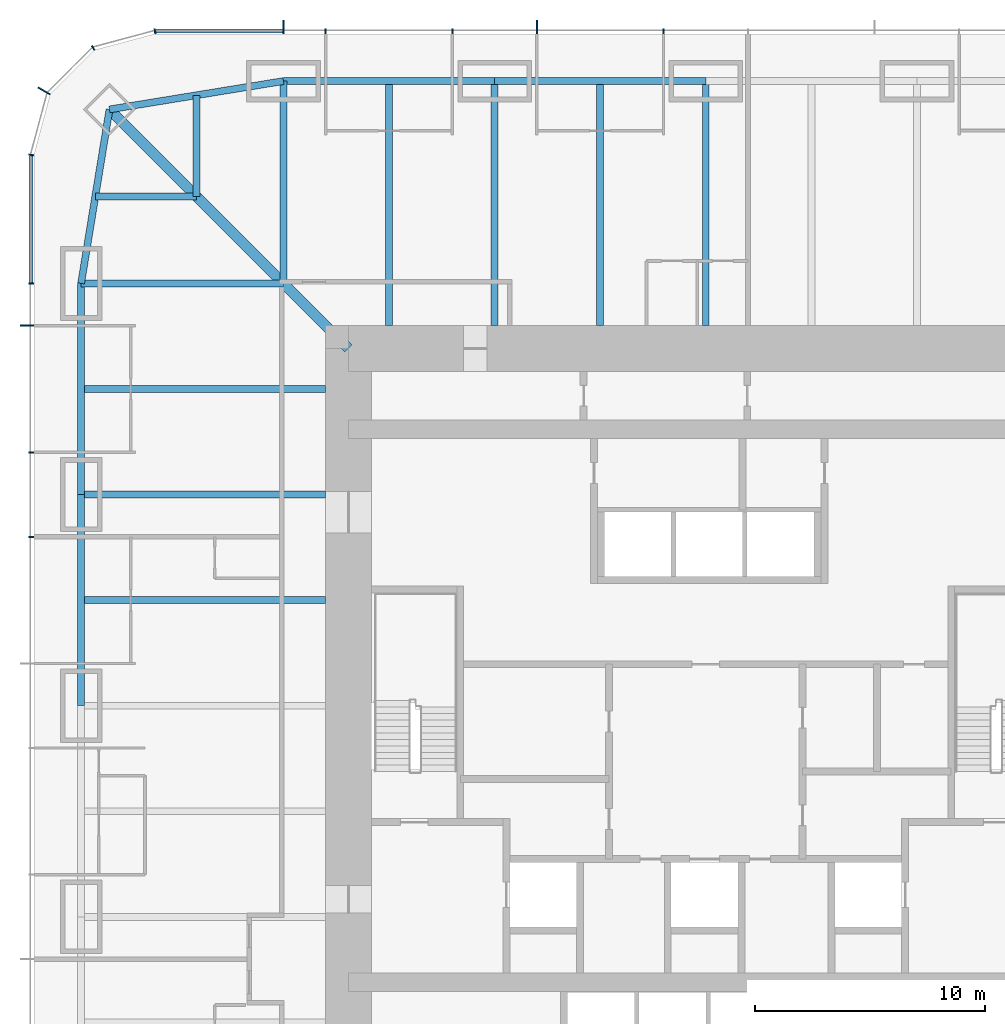
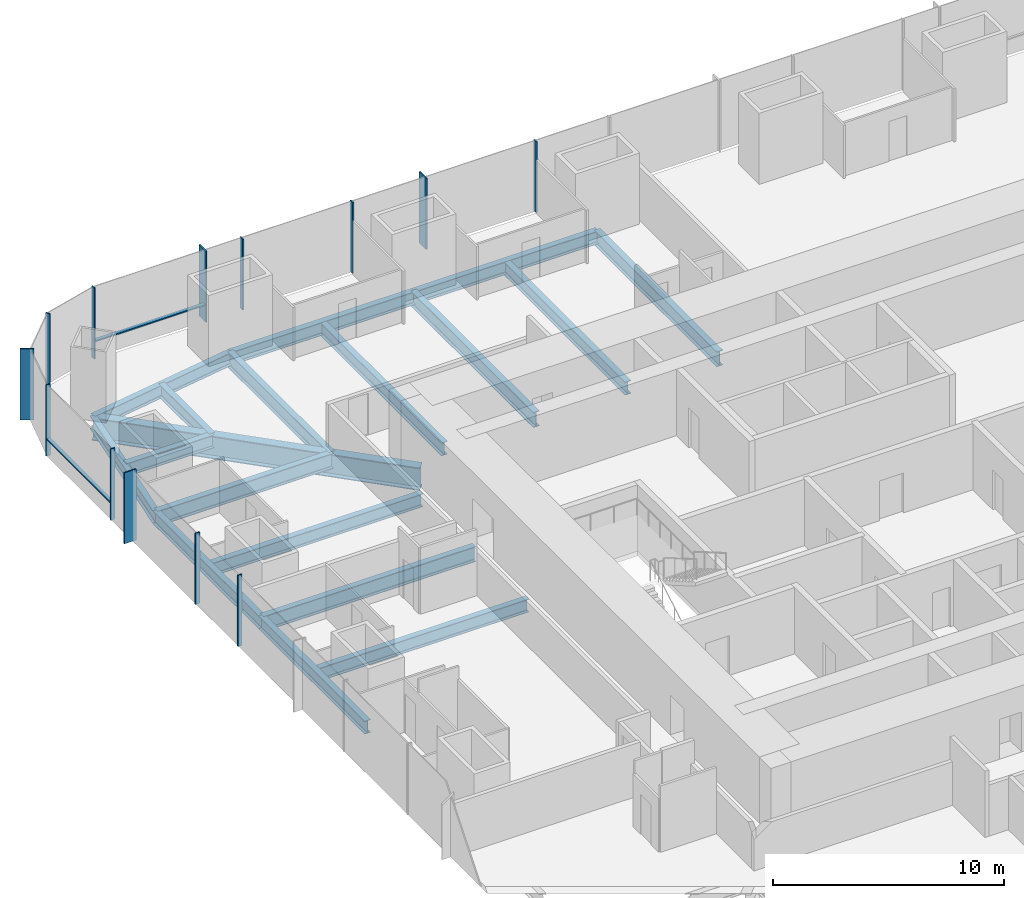
# One storey, part 5 of 13: 18 beams, 15 members, 3 elements without a shape of their own.
"""IFC4 building model written with IfcOpenShell, lengths in metres."""

from ifc_helpers import new_model, si_unit, direction, frame, origin, origin_2d, place, context, subcontext, project, spatial, rectangle, i_section, extrude, material, material_profile, profile_set, type_object, element, aggregate, save


model = new_model("IFC4")

# Units and contexts
model_context = context("Model", 3, precision=1e-05, world=origin(), true_north=direction((0.0, 1.0)))
body_context = subcontext(model_context, "Body", "Model", "MODEL_VIEW")
ifc_project = project(units=[si_unit("LENGTHUNIT", "METRE"), si_unit("AREAUNIT", "SQUARE_METRE"), si_unit("VOLUMEUNIT", "CUBIC_METRE"), si_unit("PLANEANGLEUNIT", "RADIAN"), si_unit("MASSUNIT", "GRAM", prefix="KILO")], contexts=[model_context])

# Site, building, storey
site_placement = place(None, origin())
site = spatial("IfcSite", under=ifc_project, at=site_placement, CompositionType="ELEMENT")
building_placement = place(site_placement, origin())
building = spatial("IfcBuilding", under=site, at=building_placement, Name="Khuree Lantern Residences", CompositionType="ELEMENT")
storey_placement = place(building_placement, frame((0.0, 0.0, 111.0)))
storey = spatial("IfcBuildingStorey", under=building, at=storey_placement, Name="L27", CompositionType="ELEMENT", Elevation=111.0)

# Beams
ifc_material_1 = material(Name="Steel S355", Category="steel")
ifc_material_profile_1 = material_profile(ifc_material_1, i_section(OverallWidth=0.300048828125, OverallDepth=0.68994140625, WebThickness=0.014404296875, FlangeThickness=0.027099609375, FilletRadius=0.027099609375, at=origin_2d()), Name="HE 700 A")
ifc_profile_set_1 = profile_set([ifc_material_profile_1], Name="Steel S355")
beam_type_1 = type_object("IfcBeamType", Name="B-21A SECONDARY BEAM HE 700 A", PredefinedType="BEAM", material=ifc_profile_set_1)
for number, where, z_axis, x_axis, name in (
    (1, (-13.739990234375, 27.10009765625, -0.594970703125), (0.0, -1.0, 0.0), (1.0, 0.0, 0.0), "Secondary beam N1"),
    (2, (-4.580078125, 27.10009765625, -0.594970703125), (0.0, -1.0, 0.0), (1.0, 0.0, 0.0), "Secondary beam N2"),
    (3, (-27.10009765625, 4.580078125, -0.594970703125), (1.0, 0.0, 0.0), (0.0, 1.0, 0.0), "Secondary beam W4"),
    (4, (-27.10009765625, 13.739990234375, -0.594970703125), (1.0, 0.0, 0.0), (0.0, 1.0, 0.0), "Secondary beam W5"),
):
    element("IfcBeam", number, at=place(storey_placement, frame(where, z_axis=z_axis, x_axis=x_axis)), inside=storey, type_object=beam_type_1, Name=name, PredefinedType="BEAM", context=body_context, shape_type="SweptSolid", body=[
        extrude(i_section(OverallWidth=0.300048828125, OverallDepth=0.68994140625, WebThickness=0.014404296875, FlangeThickness=0.027099609375, FilletRadius=0.027099609375, at=origin_2d()), origin(), (0.0, 0.0, 1.0), 10.60009765625),
    ])
for number, where, z_axis, x_axis, name in (
    (5, (-26.48486328125, 22.094970703125, -0.594970703125), (1.0, 0.0, 0.0), (0.0, 1.0, 0.0), "Secondary beam W6"),
    (6, (-22.094970703125, 26.48486328125, -0.594970703125), (0.0, -1.0, 0.0), (1.0, 0.0, 0.0), "Secondary beam N6"),
):
    element("IfcBeam", number, at=place(storey_placement, frame(where, z_axis=z_axis, x_axis=x_axis)), inside=storey, type_object=beam_type_1, Name=name, PredefinedType="BEAM", context=body_context, shape_type="SweptSolid", body=[
        extrude(i_section(OverallWidth=0.300048828125, OverallDepth=0.68994140625, WebThickness=0.014404296875, FlangeThickness=0.027099609375, FilletRadius=0.027099609375, at=origin_2d()), origin(), (0.0, 0.0, 1.0), 4.389892578125),
    ])
ifc_material_profile_2 = material_profile(ifc_material_1, i_section(OverallWidth=0.300048828125, OverallDepth=0.68994140625, WebThickness=0.014404296875, FlangeThickness=0.027099609375, FilletRadius=0.027099609375, at=origin_2d()), Name="HE 700 A")
ifc_profile_set_2 = profile_set([ifc_material_profile_2], Name="Steel S355")
beam_type_2 = type_object("IfcBeamType", Name="E-21 SPANDREL BEAM HE 700 A", PredefinedType="SPANDREL", material=ifc_profile_set_2)
beam_1_placement = place(storey_placement, frame((-18.320068359375, 27.10009765625, -0.594970703125), z_axis=(1.0, 0.0, 0.0), x_axis=(0.0, 1.0, 0.0)))
element("IfcBeam", 7, at=beam_1_placement, inside=storey, type_object=beam_type_2, Name="Spandrel beam N1", PredefinedType="SPANDREL", context=body_context, shape_type="SweptSolid", body=[
    extrude(i_section(OverallWidth=0.300048828125, OverallDepth=0.68994140625, WebThickness=0.014404296875, FlangeThickness=0.027099609375, FilletRadius=0.027099609375, at=origin_2d()), origin(), (0.0, 0.0, 1.0), 9.16015625),
])
for number, where, z_axis, x_axis, name in (
    (8, (-9.159912109375, 27.10009765625, -0.594970703125), (1.0, 0.0, 0.0), (0.0, 1.0, 0.0), "Spandrel beam N2"),
    (9, (-27.10009765625, 0.0, -0.594970703125), (0.0, 1.0, 0.0), (-1.0, 0.0, 0.0), "Spandrel beam W4"),
):
    element("IfcBeam", number, at=place(storey_placement, frame(where, z_axis=z_axis, x_axis=x_axis)), inside=storey, type_object=beam_type_2, Name=name, PredefinedType="SPANDREL", context=body_context, shape_type="SweptSolid", body=[
        extrude(i_section(OverallWidth=0.300048828125, OverallDepth=0.68994140625, WebThickness=0.014404296875, FlangeThickness=0.027099609375, FilletRadius=0.027099609375, at=origin_2d()), origin(), (0.0, 0.0, 1.0), 9.159912109375),
    ])
beam_2_placement = place(storey_placement, frame((-27.10009765625, 9.159912109375, -0.594970703125), z_axis=(0.0, 1.0, 0.0), x_axis=(-1.0, 0.0, 0.0)))
element("IfcBeam", 10, at=beam_2_placement, inside=storey, type_object=beam_type_2, Name="Spandrel beam W5", PredefinedType="SPANDREL", context=body_context, shape_type="SweptSolid", body=[
    extrude(i_section(OverallWidth=0.300048828125, OverallDepth=0.68994140625, WebThickness=0.014404296875, FlangeThickness=0.027099609375, FilletRadius=0.027099609375, at=origin_2d()), origin(), (0.0, 0.0, 1.0), 9.16015625),
])
for number, where, z_axis, x_axis, name in (
    (11, (-27.10009765625, 18.320068359375, -0.594970703125), (0.160826723833, 0.986982656839, 0.0), (-0.986982656839, 0.160826723833, 0.0), "Spandrel beam W6"),
    (12, (-25.869873046875, 25.869873046875, -0.594970703125), (0.986982656839, 0.160826723833, 0.0), (-0.160826723833, 0.986982656839, 0.0), "Spandrel beam N6"),
):
    element("IfcBeam", number, at=place(storey_placement, frame(where, z_axis=z_axis, x_axis=x_axis)), inside=storey, type_object=beam_type_2, Name=name, PredefinedType="SPANDREL", context=body_context, shape_type="SweptSolid", body=[
        extrude(i_section(OverallWidth=0.300048828125, OverallDepth=0.68994140625, WebThickness=0.014404296875, FlangeThickness=0.027099609375, FilletRadius=0.027099609375, at=origin_2d()), origin(), (0.0, 0.0, 1.0), 7.6494140625),
    ])

# Curtain wall, members
ifc_material_2 = material(Name="Bronze anodised aluminium", Category="aluminium")
curtain_wall_type_1 = type_object("IfcCurtainWallType", Name="CW-T1 TOWER FACE CURTAIN WALL", PredefinedType="USERDEFINED", material=ifc_material_2)
curtain_wall_1_placement = place(storey_placement, origin())
curtain_wall_1 = element("IfcCurtainWall", 13, at=curtain_wall_1_placement, inside=storey, type_object=curtain_wall_type_1, Name="L27 NORTH FACE CURTAIN WALL", ObjectType="Stick-built curtain wall", PredefinedType="USERDEFINED")
ifc_material_profile_3 = material_profile(ifc_material_2, rectangle(XDim=0.06494140625, YDim=0.60009765625, at=origin_2d()), Name="F1 65X600")
ifc_profile_set_3 = profile_set([ifc_material_profile_3], Name="Bronze anodised aluminium")
member_type_1 = type_object("IfcMemberType", Name="F1 BRONZE FIN MULLION TOWER 65X600", PredefinedType="MULLION", material=ifc_profile_set_3)
member_1_placement = place(storey_placement, frame((-7.327880859375, 29.449951171875, 0.0), z_axis=(0.0, 0.0, 1.0), x_axis=(-1.0, 0.0, 0.0)))
member_1 = element("IfcMember", 14, at=member_1_placement, type_object=member_type_1, Name="L27 NORTH FACE FIN MULLION 25", PredefinedType="MULLION", context=body_context, shape_type="SweptSolid", body=[
    extrude(rectangle(XDim=0.06494140625, YDim=0.60009765625, at=origin_2d()), origin(), (0.0, 0.0, 1.0), 3.75),
])
member_2_placement = place(storey_placement, frame((-18.320068359375, 29.449951171875, 0.0), z_axis=(0.0, 0.0, 1.0), x_axis=(-1.0, 0.0, 0.0)))
member_2 = element("IfcMember", 15, at=member_2_placement, type_object=member_type_1, Name="L27 NORTH FACE FIN MULLION 28", PredefinedType="MULLION", context=body_context, shape_type="SweptSolid", body=[
    extrude(rectangle(XDim=0.06494140625, YDim=0.60009765625, at=origin_2d()), origin(), (0.0, 0.0, 1.0), 3.75),
])

# Curtain wall, member
curtain_wall_type_2 = type_object("IfcCurtainWallType", Name="CW-T2 TOWER CORNER CURTAIN WALL", PredefinedType="USERDEFINED", material=ifc_material_2)
curtain_wall_2_placement = place(storey_placement, origin())
curtain_wall_2 = element("IfcCurtainWall", 16, at=curtain_wall_2_placement, inside=storey, type_object=curtain_wall_type_2, Name="L27 NORTH-WEST CORNER CURTAIN WALL", ObjectType="Faceted corner curtain wall", PredefinedType="USERDEFINED")
member_3_placement = place(storey_placement, frame((-28.70654296875, 26.675048828125, 0.0), z_axis=(0.0, 0.0, 1.0), x_axis=(-0.500000026995, -0.866025388199, 0.0)))
member_3 = element("IfcMember", 17, at=member_3_placement, type_object=member_type_1, Name="L27 NORTH-WEST CORNER FIN MULLION 31", PredefinedType="MULLION", context=body_context, shape_type="SweptSolid", body=[
    extrude(rectangle(XDim=0.06494140625, YDim=0.60009765625, at=origin_2d()), origin(), (0.0, 0.0, 1.0), 3.75),
])

curtain_wall_3_placement = place(storey_placement, origin())
curtain_wall_3 = element("IfcCurtainWall", 18, at=curtain_wall_3_placement, inside=storey, type_object=curtain_wall_type_1, Name="L27 WEST FACE CURTAIN WALL", ObjectType="Stick-built curtain wall", PredefinedType="USERDEFINED")
member_4_placement = place(storey_placement, frame((-29.449951171875, 16.488037109375, 0.0), z_axis=(0.0, 0.0, 1.0), x_axis=(0.0, -1.0, 0.0)))
member_4 = element("IfcMember", 19, at=member_4_placement, type_object=member_type_1, Name="L27 WEST FACE FIN MULLION 34", PredefinedType="MULLION", context=body_context, shape_type="SweptSolid", body=[
    extrude(rectangle(XDim=0.06494140625, YDim=0.60009765625, at=origin_2d()), origin(), (0.0, 0.0, 1.0), 3.75),
])

# Beams
ifc_material_profile_4 = material_profile(ifc_material_1, i_section(OverallWidth=0.300048828125, OverallDepth=0.800048828125, WebThickness=0.017578125, FlangeThickness=0.032958984375, FilletRadius=0.030029296875, at=origin_2d()), Name="HE 800 B")
ifc_profile_set_4 = profile_set([ifc_material_profile_4], Name="Steel S355")
beam_type_3 = type_object("IfcBeamType", Name="G-21 GIRDER HE 800 B", PredefinedType="BEAM", material=ifc_profile_set_4)
beam_3_placement = place(storey_placement, frame((-18.320068359375, 27.10009765625, -0.64990234375), z_axis=(0.0, -1.0, 0.0), x_axis=(1.0, 0.0, 0.0)))
element("IfcBeam", 20, at=beam_3_placement, inside=storey, type_object=beam_type_3, Name="Girder N1", PredefinedType="BEAM", context=body_context, shape_type="SweptSolid", body=[
    extrude(i_section(OverallWidth=0.300048828125, OverallDepth=0.800048828125, WebThickness=0.017578125, FlangeThickness=0.032958984375, FilletRadius=0.030029296875, at=origin_2d()), origin(), (0.0, 0.0, 1.0), 8.780029296875),
])
for number, where, z_axis, x_axis, name in (
    (21, (-9.159912109375, 27.10009765625, -0.64990234375), (0.0, -1.0, 0.0), (1.0, 0.0, 0.0), "Girder N2"),
    (22, (0.0, 27.10009765625, -0.64990234375), (0.0, -1.0, 0.0), (1.0, 0.0, 0.0), "Girder N3"),
    (23, (-27.10009765625, 9.159912109375, -0.64990234375), (1.0, 0.0, 0.0), (0.0, 1.0, 0.0), "Girder W4"),
):
    element("IfcBeam", number, at=place(storey_placement, frame(where, z_axis=z_axis, x_axis=x_axis)), inside=storey, type_object=beam_type_3, Name=name, PredefinedType="BEAM", context=body_context, shape_type="SweptSolid", body=[
        extrude(i_section(OverallWidth=0.300048828125, OverallDepth=0.800048828125, WebThickness=0.017578125, FlangeThickness=0.032958984375, FilletRadius=0.030029296875, at=origin_2d()), origin(), (0.0, 0.0, 1.0), 10.60009765625),
    ])
beam_4_placement = place(storey_placement, frame((-27.10009765625, 18.320068359375, -0.64990234375), z_axis=(1.0, 0.0, 0.0), x_axis=(0.0, 1.0, 0.0)))
element("IfcBeam", 24, at=beam_4_placement, inside=storey, type_object=beam_type_3, Name="Girder W5", PredefinedType="BEAM", context=body_context, shape_type="SweptSolid", body=[
    extrude(i_section(OverallWidth=0.300048828125, OverallDepth=0.800048828125, WebThickness=0.017578125, FlangeThickness=0.032958984375, FilletRadius=0.030029296875, at=origin_2d()), origin(), (0.0, 0.0, 1.0), 8.780029296875),
])
ifc_material_profile_5 = material_profile(ifc_material_1, i_section(OverallWidth=0.449951171875, OverallDepth=1.199951171875, WebThickness=0.02490234375, FlangeThickness=0.044921875, at=origin_2d()), Name="WELDED I 1200X450X25X45")
ifc_profile_set_5 = profile_set([ifc_material_profile_5], Name="Steel S355")
beam_type_4 = type_object("IfcBeamType", Name="GD-21 CORNER GIRDER WELDED I 1200X450X25X45", PredefinedType="BEAM", material=ifc_profile_set_5)
beam_5_placement = place(storey_placement, frame((-25.869873046875, 25.869873046875, -0.85009765625), z_axis=(0.707106781187, -0.707106781187, 0.0), x_axis=(0.707106781187, 0.707106781187, 0.0)))
element("IfcBeam", 25, at=beam_5_placement, inside=storey, type_object=beam_type_4, Name="Corner girder NW", PredefinedType="BEAM", context=body_context, shape_type="SweptSolid", body=[
    extrude(i_section(OverallWidth=0.449951171875, OverallDepth=1.199951171875, WebThickness=0.02490234375, FlangeThickness=0.044921875, at=origin_2d()), origin(), (0.0, 0.0, 1.0), 14.665283203125),
])

# Member
ifc_material_profile_6 = material_profile(ifc_material_2, rectangle(XDim=0.06494140625, YDim=0.219970703125, at=origin_2d()), Name="M1 65X220")
ifc_profile_set_6 = profile_set([ifc_material_profile_6], Name="Bronze anodised aluminium")
member_type_2 = type_object("IfcMemberType", Name="M1 BRONZE MULLION TOWER 65X220", PredefinedType="MULLION", material=ifc_profile_set_6)
member_5_placement = place(storey_placement, frame((-1.83203125, 29.260009765625, 0.0), z_axis=(0.0, 0.0, 1.0), x_axis=(-1.0, 0.0, 0.0)))
member_5 = element("IfcMember", 26, at=member_5_placement, type_object=member_type_2, Name="L27 NORTH FACE MULLION 24", PredefinedType="MULLION", context=body_context, shape_type="SweptSolid", body=[
    extrude(rectangle(XDim=0.06494140625, YDim=0.219970703125, at=origin_2d()), origin(), (0.0, 0.0, 1.0), 3.75),
])

member_6_placement = place(storey_placement, frame((-10.991943359375, 29.260009765625, 0.0), z_axis=(0.0, 0.0, 1.0), x_axis=(-1.0, 0.0, 0.0)))
member_6 = element("IfcMember", 27, at=member_6_placement, type_object=member_type_2, Name="L27 NORTH FACE MULLION 26", PredefinedType="MULLION", context=body_context, shape_type="SweptSolid", body=[
    extrude(rectangle(XDim=0.06494140625, YDim=0.219970703125, at=origin_2d()), origin(), (0.0, 0.0, 1.0), 3.75),
])

member_7_placement = place(storey_placement, frame((-16.488037109375, 29.260009765625, 0.0), z_axis=(0.0, 0.0, 1.0), x_axis=(-1.0, 0.0, 0.0)))
member_7 = element("IfcMember", 28, at=member_7_placement, type_object=member_type_2, Name="L27 NORTH FACE MULLION 27", PredefinedType="MULLION", context=body_context, shape_type="SweptSolid", body=[
    extrude(rectangle(XDim=0.06494140625, YDim=0.219970703125, at=origin_2d()), origin(), (0.0, 0.0, 1.0), 3.75),
])

member_8_placement = place(storey_placement, frame((-23.89501953125, 29.26171875, 0.0), z_axis=(0.0, 0.0, 1.0), x_axis=(-0.991444857305, -0.130526223125, 0.0)))
member_8 = element("IfcMember", 29, at=member_8_placement, type_object=member_type_2, Name="L27 NORTH-WEST CORNER MULLION 29", PredefinedType="MULLION", context=body_context, shape_type="SweptSolid", body=[
    extrude(rectangle(XDim=0.06494140625, YDim=0.219970703125, at=origin_2d()), origin(), (0.0, 0.0, 1.0), 3.75),
])

member_9_placement = place(storey_placement, frame((-26.580078125, 28.5419921875, 0.0), z_axis=(0.0, 0.0, 1.0), x_axis=(-0.866025388199, -0.500000026995, 0.0)))
member_9 = element("IfcMember", 30, at=member_9_placement, type_object=member_type_2, Name="L27 NORTH-WEST CORNER MULLION 30", PredefinedType="MULLION", context=body_context, shape_type="SweptSolid", body=[
    extrude(rectangle(XDim=0.06494140625, YDim=0.219970703125, at=origin_2d()), origin(), (0.0, 0.0, 1.0), 3.75),
])

aggregate(curtain_wall_2, [member_8, member_9, member_3])

member_10_placement = place(storey_placement, frame((-29.26171875, 23.89501953125, 0.0), z_axis=(0.0, 0.0, 1.0), x_axis=(-0.130526223125, -0.991444857305, 0.0)))
member_10 = element("IfcMember", 31, at=member_10_placement, type_object=member_type_2, Name="L27 WEST FACE MULLION 32", PredefinedType="MULLION", context=body_context, shape_type="SweptSolid", body=[
    extrude(rectangle(XDim=0.06494140625, YDim=0.219970703125, at=origin_2d()), origin(), (0.0, 0.0, 1.0), 3.75),
])

member_11_placement = place(storey_placement, frame((-29.260009765625, 18.320068359375, 0.0), z_axis=(0.0, 0.0, 1.0), x_axis=(0.0, -1.0, 0.0)))
member_11 = element("IfcMember", 32, at=member_11_placement, type_object=member_type_2, Name="L27 WEST FACE MULLION 33", PredefinedType="MULLION", context=body_context, shape_type="SweptSolid", body=[
    extrude(rectangle(XDim=0.06494140625, YDim=0.219970703125, at=origin_2d()), origin(), (0.0, 0.0, 1.0), 3.75),
])

member_12_placement = place(storey_placement, frame((-29.260009765625, 10.991943359375, 0.0), z_axis=(0.0, 0.0, 1.0), x_axis=(0.0, -1.0, 0.0)))
member_12 = element("IfcMember", 33, at=member_12_placement, type_object=member_type_2, Name="L27 WEST FACE MULLION 35", PredefinedType="MULLION", context=body_context, shape_type="SweptSolid", body=[
    extrude(rectangle(XDim=0.06494140625, YDim=0.219970703125, at=origin_2d()), origin(), (0.0, 0.0, 1.0), 3.75),
])

member_13_placement = place(storey_placement, frame((-29.260009765625, 7.327880859375, 0.0), z_axis=(0.0, 0.0, 1.0), x_axis=(0.0, -1.0, 0.0)))
member_13 = element("IfcMember", 34, at=member_13_placement, type_object=member_type_2, Name="L27 WEST FACE MULLION 36", PredefinedType="MULLION", context=body_context, shape_type="SweptSolid", body=[
    extrude(rectangle(XDim=0.06494140625, YDim=0.219970703125, at=origin_2d()), origin(), (0.0, 0.0, 1.0), 3.75),
])

ifc_material_profile_7 = material_profile(ifc_material_2, rectangle(XDim=0.179931640625, YDim=0.06494140625, at=origin_2d()), Name="T1 180X65")
ifc_profile_set_7 = profile_set([ifc_material_profile_7], Name="Bronze anodised aluminium")
member_type_3 = type_object("IfcMemberType", Name="TRANSOM T1 TOWER 180X65", PredefinedType="USERDEFINED", material=ifc_profile_set_7)
member_14_placement = place(storey_placement, frame((-18.3525390625, 29.27001953125, 0.89990234375), z_axis=(-1.0, 0.0, 0.0), x_axis=(0.0, -1.0, 0.0)))
member_14 = element("IfcMember", 35, at=member_14_placement, type_object=member_type_3, Name="L27 NORTH FACE TRANSOM 28.1", ObjectType="Transom", PredefinedType="USERDEFINED", context=body_context, shape_type="SweptSolid", body=[
    extrude(rectangle(XDim=0.179931640625, YDim=0.06494140625, at=origin_2d()), origin(), (0.0, 0.0, 1.0), 5.498779296875),
])

aggregate(curtain_wall_1, [member_5, member_1, member_6, member_7, member_2, member_14])

member_15_placement = place(storey_placement, frame((-29.27001953125, 23.851318359375, 0.89990234375), z_axis=(0.0, -1.0, 0.0), x_axis=(1.0, 0.0, 0.0)))
member_15 = element("IfcMember", 36, at=member_15_placement, type_object=member_type_3, Name="L27 WEST FACE TRANSOM 32.1", ObjectType="Transom", PredefinedType="USERDEFINED", context=body_context, shape_type="SweptSolid", body=[
    extrude(rectangle(XDim=0.179931640625, YDim=0.06494140625, at=origin_2d()), origin(), (0.0, 0.0, 1.0), 5.498779296875),
])

aggregate(curtain_wall_3, [member_10, member_11, member_4, member_12, member_13, member_15])

save(model, "model.ifc")
